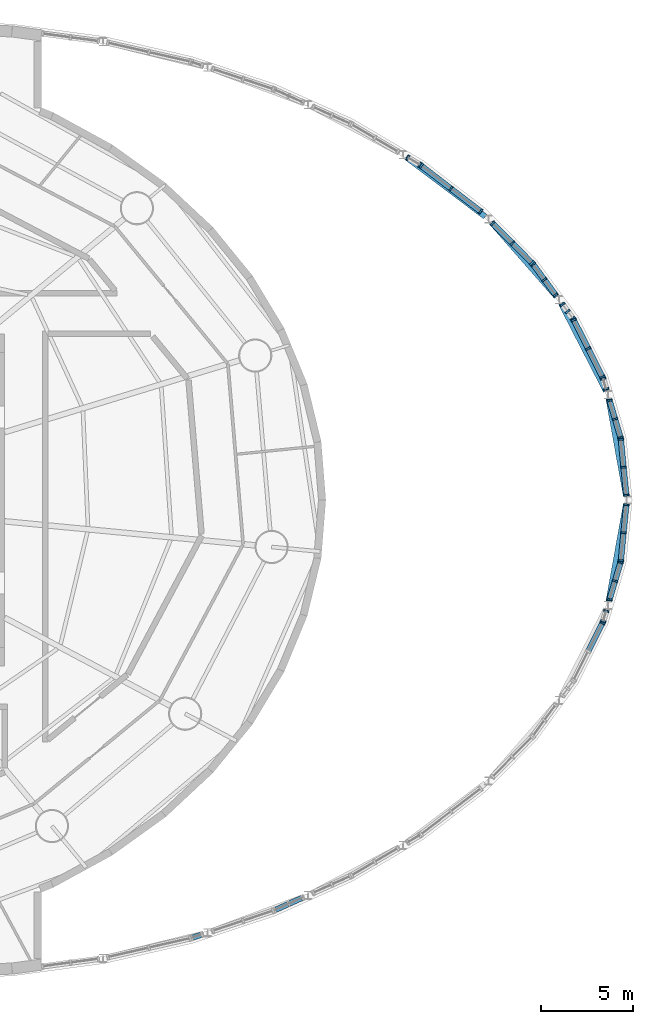
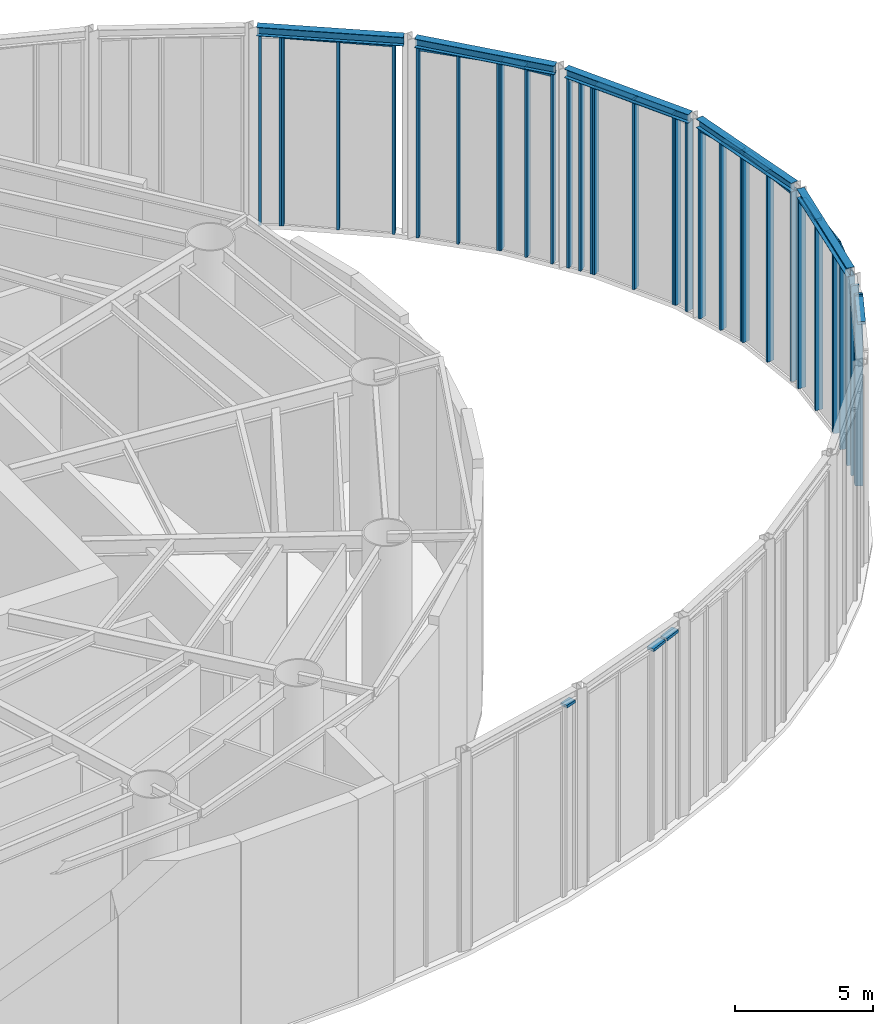
# One storey, part 8 of 19: 54 members, 5 beams, 15 elements without a shape of their own.
"""IFC4 building model written with IfcOpenShell, lengths in metres."""

from ifc_helpers import new_model, si_unit, direction, frame, origin, origin_2d, place, context, subcontext, project, spatial, rectangle, i_section, extrude, material, material_profile, profile_set, type_object, element, aggregate, save


model = new_model("IFC4")

# Units and contexts
model_context = context("Model", 3, precision=1e-05, world=origin(), true_north=direction((0.0, 1.0)))
body_context = subcontext(model_context, "Body", "Model", "MODEL_VIEW")
ifc_project = project(units=[si_unit("LENGTHUNIT", "METRE"), si_unit("AREAUNIT", "SQUARE_METRE"), si_unit("VOLUMEUNIT", "CUBIC_METRE"), si_unit("PLANEANGLEUNIT", "RADIAN"), si_unit("MASSUNIT", "GRAM", prefix="KILO")], contexts=[model_context])

# Site, building, storey
site_placement = place(None, origin())
site = spatial("IfcSite", under=ifc_project, at=site_placement, CompositionType="ELEMENT")
building_placement = place(site_placement, origin())
building = spatial("IfcBuilding", under=site, at=building_placement, Name="Vermilion Reach Broadcast Tower", CompositionType="ELEMENT")
storey_placement = place(building_placement, frame((0.0, 0.0, 17.0)))
storey = spatial("IfcBuildingStorey", under=building, at=storey_placement, Name="L02", CompositionType="ELEMENT", Elevation=17.0)

# Curtain wall, member
ifc_material_1 = material(Name="Low-e laminated clear glass in aluminium frame", Category="aluminium")
curtain_wall_type = type_object("IfcCurtainWallType", Name="Atrium outer wall curtain wall", PredefinedType="NOTDEFINED", material=ifc_material_1)
placement = place(storey_placement, origin())
curtain_wall_1 = element("IfcCurtainWall", 1, at=placement, inside=storey, type_object=curtain_wall_type, Name="Atrium wall L02 09", PredefinedType="NOTDEFINED")
ifc_material_2 = material(Name="Anodised aluminium", Category="aluminium")
ifc_material_profile_1 = material_profile(ifc_material_2, rectangle(XDim=0.300048828125, YDim=0.10009765625, at=origin_2d()), Name="Atrium outer wall mullion 100 x 300")
ifc_profile_set_1 = profile_set([ifc_material_profile_1], Name="Anodised aluminium")
member_type_1 = type_object("IfcMemberType", Name="Atrium outer wall mullion 100 x 300", PredefinedType="MULLION", material=ifc_profile_set_1)
member_1_placement = place(storey_placement, frame((38.384033203125, -6.6630859375, 0.0), z_axis=(0.0, 0.0, 1.0), x_axis=(-0.892992378986, 0.450071784356, 0.0)))
member_1 = element("IfcMember", 2, at=member_1_placement, type_object=member_type_1, Name="Atrium wall mullion L02 09.3", PredefinedType="MULLION", context=body_context, shape_type="SweptSolid", body=[
    extrude(rectangle(XDim=0.300048828125, YDim=0.10009765625, at=origin_2d()), origin(), (0.0, 0.0, 1.0), 8.409912109375),
])

# Curtain wall, members
curtain_wall_2 = element("IfcCurtainWall", 3, at=placement, inside=storey, type_object=curtain_wall_type, Name="Atrium wall L02 10-1", PredefinedType="NOTDEFINED")
member_2_placement = place(storey_placement, frame((38.420654296875, -6.570556640625, 0.0), z_axis=(0.0, 0.0, 1.0), x_axis=(-0.959047559317, 0.283245086397, 0.0)))
member_2 = element("IfcMember", 4, at=member_2_placement, type_object=member_type_1, Name="Atrium wall mullion L02 10-1.1", PredefinedType="MULLION", context=body_context, shape_type="SweptSolid", body=[
    extrude(rectangle(XDim=0.300048828125, YDim=0.10009765625, at=origin_2d()), origin(), (0.0, 0.0, 1.0), 8.409912109375),
])
member_3_placement = place(storey_placement, frame((38.58544921875, -6.01220703125, 0.0), z_axis=(0.0, 0.0, 1.0), x_axis=(-0.959047559317, 0.283245086397, 0.0)))
member_3 = element("IfcMember", 5, at=member_3_placement, type_object=member_type_1, Name="Atrium wall mullion L02 10-1.2", PredefinedType="MULLION", context=body_context, shape_type="SweptSolid", body=[
    extrude(rectangle(XDim=0.300048828125, YDim=0.10009765625, at=origin_2d()), origin(), (0.0, 0.0, 1.0), 8.409912109375),
])
aggregate(curtain_wall_2, [member_2, member_3])

curtain_wall_3 = element("IfcCurtainWall", 6, at=placement, inside=storey, type_object=curtain_wall_type, Name="Atrium wall L02 10-2", PredefinedType="NOTDEFINED")
member_4_placement = place(storey_placement, frame((38.76904296875, -5.390869140625, 0.0), z_axis=(0.0, 0.0, 1.0), x_axis=(-0.959047559317, 0.283245086397, 0.0)))
member_4 = element("IfcMember", 7, at=member_4_placement, type_object=member_type_1, Name="Atrium wall mullion L02 10-2.1", PredefinedType="MULLION", context=body_context, shape_type="SweptSolid", body=[
    extrude(rectangle(XDim=0.300048828125, YDim=0.10009765625, at=origin_2d()), origin(), (0.0, 0.0, 1.0), 8.409912109375),
])
member_5_placement = place(storey_placement, frame((39.0654296875, -4.387451171875, 0.0), z_axis=(0.0, 0.0, 1.0), x_axis=(-0.959047559317, 0.283245086397, 0.0)))
member_5 = element("IfcMember", 8, at=member_5_placement, type_object=member_type_1, Name="Atrium wall mullion L02 10-2.2", PredefinedType="MULLION", context=body_context, shape_type="SweptSolid", body=[
    extrude(rectangle(XDim=0.300048828125, YDim=0.10009765625, at=origin_2d()), origin(), (0.0, 0.0, 1.0), 8.409912109375),
])
member_6_placement = place(storey_placement, frame((39.361572265625, -3.384033203125, 0.0), z_axis=(0.0, 0.0, 1.0), x_axis=(-0.959047559317, 0.283245086397, 0.0)))
member_6 = element("IfcMember", 9, at=member_6_placement, type_object=member_type_1, Name="Atrium wall mullion L02 10-2.3", PredefinedType="MULLION", context=body_context, shape_type="SweptSolid", body=[
    extrude(rectangle(XDim=0.300048828125, YDim=0.10009765625, at=origin_2d()), origin(), (0.0, 0.0, 1.0), 8.409912109375),
])

curtain_wall_4 = element("IfcCurtainWall", 10, at=placement, inside=storey, type_object=curtain_wall_type, Name="Atrium wall L02 11", PredefinedType="NOTDEFINED")
member_7_placement = place(storey_placement, frame((39.380615234375, -3.286376953125, 0.0), z_axis=(0.0, 0.0, 1.0), x_axis=(-0.995297951094, 0.096860665643, 0.0)))
member_7 = element("IfcMember", 11, at=member_7_placement, type_object=member_type_1, Name="Atrium wall mullion L02 11.1", PredefinedType="MULLION", context=body_context, shape_type="SweptSolid", body=[
    extrude(rectangle(XDim=0.300048828125, YDim=0.10009765625, at=origin_2d()), origin(), (0.0, 0.0, 1.0), 8.409912109375),
])
member_8_placement = place(storey_placement, frame((39.52783203125, -1.774658203125, 0.0), z_axis=(0.0, 0.0, 1.0), x_axis=(-0.995297951094, 0.096860665643, 0.0)))
member_8 = element("IfcMember", 12, at=member_8_placement, type_object=member_type_1, Name="Atrium wall mullion L02 11.2", PredefinedType="MULLION", context=body_context, shape_type="SweptSolid", body=[
    extrude(rectangle(XDim=0.300048828125, YDim=0.10009765625, at=origin_2d()), origin(), (0.0, 0.0, 1.0), 8.409912109375),
])
member_9_placement = place(storey_placement, frame((39.6748046875, -0.2626953125, 0.0), z_axis=(0.0, 0.0, 1.0), x_axis=(-0.995297951094, 0.096860665643, 0.0)))
member_9 = element("IfcMember", 13, at=member_9_placement, type_object=member_type_1, Name="Atrium wall mullion L02 11.3", PredefinedType="MULLION", context=body_context, shape_type="SweptSolid", body=[
    extrude(rectangle(XDim=0.300048828125, YDim=0.10009765625, at=origin_2d()), origin(), (0.0, 0.0, 1.0), 8.409912109375),
])

curtain_wall_5 = element("IfcCurtainWall", 14, at=placement, inside=storey, type_object=curtain_wall_type, Name="Atrium wall L02 12", PredefinedType="NOTDEFINED")
member_10_placement = place(storey_placement, frame((39.6748046875, 0.2626953125, 0.0), z_axis=(0.0, 0.0, 1.0), x_axis=(-0.995297951094, -0.096860665643, 0.0)))
member_10 = element("IfcMember", 15, at=member_10_placement, type_object=member_type_1, Name="Atrium wall mullion L02 12.1", PredefinedType="MULLION", context=body_context, shape_type="SweptSolid", body=[
    extrude(rectangle(XDim=0.300048828125, YDim=0.10009765625, at=origin_2d()), origin(), (0.0, 0.0, 1.0), 8.409912109375),
])
member_11_placement = place(storey_placement, frame((39.52783203125, 1.774658203125, 0.0), z_axis=(0.0, 0.0, 1.0), x_axis=(-0.995297951094, -0.096860665643, 0.0)))
member_11 = element("IfcMember", 16, at=member_11_placement, type_object=member_type_1, Name="Atrium wall mullion L02 12.2", PredefinedType="MULLION", context=body_context, shape_type="SweptSolid", body=[
    extrude(rectangle(XDim=0.300048828125, YDim=0.10009765625, at=origin_2d()), origin(), (0.0, 0.0, 1.0), 8.409912109375),
])
member_12_placement = place(storey_placement, frame((39.380615234375, 3.286376953125, 0.0), z_axis=(0.0, 0.0, 1.0), x_axis=(-0.995297951094, -0.096860665643, 0.0)))
member_12 = element("IfcMember", 17, at=member_12_placement, type_object=member_type_1, Name="Atrium wall mullion L02 12.3", PredefinedType="MULLION", context=body_context, shape_type="SweptSolid", body=[
    extrude(rectangle(XDim=0.300048828125, YDim=0.10009765625, at=origin_2d()), origin(), (0.0, 0.0, 1.0), 8.409912109375),
])

curtain_wall_6 = element("IfcCurtainWall", 18, at=placement, inside=storey, type_object=curtain_wall_type, Name="Atrium wall L02 13-1", PredefinedType="NOTDEFINED")
member_13_placement = place(storey_placement, frame((39.361572265625, 3.384033203125, 0.0), z_axis=(0.0, 0.0, 1.0), x_axis=(-0.959047559317, -0.283245086397, 0.0)))
member_13 = element("IfcMember", 19, at=member_13_placement, type_object=member_type_1, Name="Atrium wall mullion L02 13-1.1", PredefinedType="MULLION", context=body_context, shape_type="SweptSolid", body=[
    extrude(rectangle(XDim=0.300048828125, YDim=0.10009765625, at=origin_2d()), origin(), (0.0, 0.0, 1.0), 8.409912109375),
])
member_14_placement = place(storey_placement, frame((39.0654296875, 4.387451171875, 0.0), z_axis=(0.0, 0.0, 1.0), x_axis=(-0.959047559317, -0.283245086397, 0.0)))
member_14 = element("IfcMember", 20, at=member_14_placement, type_object=member_type_1, Name="Atrium wall mullion L02 13-1.2", PredefinedType="MULLION", context=body_context, shape_type="SweptSolid", body=[
    extrude(rectangle(XDim=0.300048828125, YDim=0.10009765625, at=origin_2d()), origin(), (0.0, 0.0, 1.0), 8.409912109375),
])
member_15_placement = place(storey_placement, frame((38.76904296875, 5.390869140625, 0.0), z_axis=(0.0, 0.0, 1.0), x_axis=(-0.959047559317, -0.283245086397, 0.0)))
member_15 = element("IfcMember", 21, at=member_15_placement, type_object=member_type_1, Name="Atrium wall mullion L02 13-1.3", PredefinedType="MULLION", context=body_context, shape_type="SweptSolid", body=[
    extrude(rectangle(XDim=0.300048828125, YDim=0.10009765625, at=origin_2d()), origin(), (0.0, 0.0, 1.0), 8.409912109375),
])

curtain_wall_7 = element("IfcCurtainWall", 22, at=placement, inside=storey, type_object=curtain_wall_type, Name="Atrium wall L02 13-2", PredefinedType="NOTDEFINED")
member_16_placement = place(storey_placement, frame((38.58544921875, 6.01220703125, 0.0), z_axis=(0.0, 0.0, 1.0), x_axis=(-0.959047559317, -0.283245086397, 0.0)))
member_16 = element("IfcMember", 23, at=member_16_placement, type_object=member_type_1, Name="Atrium wall mullion L02 13-2.1", PredefinedType="MULLION", context=body_context, shape_type="SweptSolid", body=[
    extrude(rectangle(XDim=0.300048828125, YDim=0.10009765625, at=origin_2d()), origin(), (0.0, 0.0, 1.0), 8.409912109375),
])
member_17_placement = place(storey_placement, frame((38.420654296875, 6.570556640625, 0.0), z_axis=(0.0, 0.0, 1.0), x_axis=(-0.959047559317, -0.283245086397, 0.0)))
member_17 = element("IfcMember", 24, at=member_17_placement, type_object=member_type_1, Name="Atrium wall mullion L02 13-2.2", PredefinedType="MULLION", context=body_context, shape_type="SweptSolid", body=[
    extrude(rectangle(XDim=0.300048828125, YDim=0.10009765625, at=origin_2d()), origin(), (0.0, 0.0, 1.0), 8.409912109375),
])
aggregate(curtain_wall_7, [member_16, member_17])

curtain_wall_8 = element("IfcCurtainWall", 25, at=placement, inside=storey, type_object=curtain_wall_type, Name="Atrium wall L02 14", PredefinedType="NOTDEFINED")
member_18_placement = place(storey_placement, frame((38.384033203125, 6.6630859375, 0.0), z_axis=(0.0, 0.0, 1.0), x_axis=(-0.892992378986, -0.450071784356, 0.0)))
member_18 = element("IfcMember", 26, at=member_18_placement, type_object=member_type_1, Name="Atrium wall mullion L02 14.1", PredefinedType="MULLION", context=body_context, shape_type="SweptSolid", body=[
    extrude(rectangle(XDim=0.300048828125, YDim=0.10009765625, at=origin_2d()), origin(), (0.0, 0.0, 1.0), 8.409912109375),
])
member_19_placement = place(storey_placement, frame((37.6064453125, 8.20556640625, 0.0), z_axis=(0.0, 0.0, 1.0), x_axis=(-0.892992378986, -0.450071784356, 0.0)))
member_19 = element("IfcMember", 27, at=member_19_placement, type_object=member_type_1, Name="Atrium wall mullion L02 14.2", PredefinedType="MULLION", context=body_context, shape_type="SweptSolid", body=[
    extrude(rectangle(XDim=0.300048828125, YDim=0.10009765625, at=origin_2d()), origin(), (0.0, 0.0, 1.0), 8.409912109375),
])
member_20_placement = place(storey_placement, frame((36.8291015625, 9.748046875, 0.0), z_axis=(0.0, 0.0, 1.0), x_axis=(-0.892992378986, -0.450071784356, 0.0)))
member_20 = element("IfcMember", 28, at=member_20_placement, type_object=member_type_1, Name="Atrium wall mullion L02 14.3", PredefinedType="MULLION", context=body_context, shape_type="SweptSolid", body=[
    extrude(rectangle(XDim=0.300048828125, YDim=0.10009765625, at=origin_2d()), origin(), (0.0, 0.0, 1.0), 8.409912109375),
])

curtain_wall_9 = element("IfcCurtainWall", 29, at=placement, inside=storey, type_object=curtain_wall_type, Name="Atrium wall L02 15-1", PredefinedType="NOTDEFINED")
member_21_placement = place(storey_placement, frame((36.777099609375, 9.8330078125, 0.0), z_axis=(0.0, 0.0, 1.0), x_axis=(-0.806847463604, -0.590759824697, 0.0)))
member_21 = element("IfcMember", 30, at=member_21_placement, type_object=member_type_1, Name="Atrium wall mullion L02 15-1.1", PredefinedType="MULLION", context=body_context, shape_type="SweptSolid", body=[
    extrude(rectangle(XDim=0.300048828125, YDim=0.10009765625, at=origin_2d()), origin(), (0.0, 0.0, 1.0), 8.409912109375),
])
member_22_placement = place(storey_placement, frame((36.501220703125, 10.209716796875, 0.0), z_axis=(0.0, 0.0, 1.0), x_axis=(-0.806847463604, -0.590759824697, 0.0)))
member_22 = element("IfcMember", 31, at=member_22_placement, type_object=member_type_1, Name="Atrium wall mullion L02 15-1.2", PredefinedType="MULLION", context=body_context, shape_type="SweptSolid", body=[
    extrude(rectangle(XDim=0.300048828125, YDim=0.10009765625, at=origin_2d()), origin(), (0.0, 0.0, 1.0), 8.409912109375),
])
member_23_placement = place(storey_placement, frame((36.2255859375, 10.586181640625, 0.0), z_axis=(0.0, 0.0, 1.0), x_axis=(-0.806847463604, -0.590759824697, 0.0)))
member_23 = element("IfcMember", 32, at=member_23_placement, type_object=member_type_1, Name="Atrium wall mullion L02 15-1.3", PredefinedType="MULLION", context=body_context, shape_type="SweptSolid", body=[
    extrude(rectangle(XDim=0.300048828125, YDim=0.10009765625, at=origin_2d()), origin(), (0.0, 0.0, 1.0), 8.409912109375),
])
aggregate(curtain_wall_9, [member_21, member_22, member_23])

curtain_wall_10 = element("IfcCurtainWall", 33, at=placement, inside=storey, type_object=curtain_wall_type, Name="Atrium wall L02 15-2", PredefinedType="NOTDEFINED")
member_24_placement = place(storey_placement, frame((35.8427734375, 11.109130859375, 0.0), z_axis=(0.0, 0.0, 1.0), x_axis=(-0.806847463604, -0.590759824697, 0.0)))
member_24 = element("IfcMember", 34, at=member_24_placement, type_object=member_type_1, Name="Atrium wall mullion L02 15-2.1", PredefinedType="MULLION", context=body_context, shape_type="SweptSolid", body=[
    extrude(rectangle(XDim=0.300048828125, YDim=0.10009765625, at=origin_2d()), origin(), (0.0, 0.0, 1.0), 8.409912109375),
])
member_25_placement = place(storey_placement, frame((35.236572265625, 11.936767578125, 0.0), z_axis=(0.0, 0.0, 1.0), x_axis=(-0.806847463604, -0.590759824697, 0.0)))
member_25 = element("IfcMember", 35, at=member_25_placement, type_object=member_type_1, Name="Atrium wall mullion L02 15-2.2", PredefinedType="MULLION", context=body_context, shape_type="SweptSolid", body=[
    extrude(rectangle(XDim=0.300048828125, YDim=0.10009765625, at=origin_2d()), origin(), (0.0, 0.0, 1.0), 8.409912109375),
])
member_26_placement = place(storey_placement, frame((34.630615234375, 12.764404296875, 0.0), z_axis=(0.0, 0.0, 1.0), x_axis=(-0.806847463604, -0.590759824697, 0.0)))
member_26 = element("IfcMember", 36, at=member_26_placement, type_object=member_type_1, Name="Atrium wall mullion L02 15-2.3", PredefinedType="MULLION", context=body_context, shape_type="SweptSolid", body=[
    extrude(rectangle(XDim=0.300048828125, YDim=0.10009765625, at=origin_2d()), origin(), (0.0, 0.0, 1.0), 8.409912109375),
])

curtain_wall_11 = element("IfcCurtainWall", 37, at=placement, inside=storey, type_object=curtain_wall_type, Name="Atrium wall L02 16", PredefinedType="NOTDEFINED")
member_27_placement = place(storey_placement, frame((34.56591796875, 12.84033203125, 0.0), z_axis=(0.0, 0.0, 1.0), x_axis=(-0.709925939614, -0.704276337997, 0.0)))
member_27 = element("IfcMember", 38, at=member_27_placement, type_object=member_type_1, Name="Atrium wall mullion L02 16.1", PredefinedType="MULLION", context=body_context, shape_type="SweptSolid", body=[
    extrude(rectangle(XDim=0.300048828125, YDim=0.10009765625, at=origin_2d()), origin(), (0.0, 0.0, 1.0), 8.409912109375),
])
member_28_placement = place(storey_placement, frame((33.5029296875, 13.911865234375, 0.0), z_axis=(0.0, 0.0, 1.0), x_axis=(-0.709925939614, -0.704276337997, 0.0)))
member_28 = element("IfcMember", 39, at=member_28_placement, type_object=member_type_1, Name="Atrium wall mullion L02 16.2", PredefinedType="MULLION", context=body_context, shape_type="SweptSolid", body=[
    extrude(rectangle(XDim=0.300048828125, YDim=0.10009765625, at=origin_2d()), origin(), (0.0, 0.0, 1.0), 8.409912109375),
])
member_29_placement = place(storey_placement, frame((32.43994140625, 14.983154296875, 0.0), z_axis=(0.0, 0.0, 1.0), x_axis=(-0.709925939614, -0.704276337997, 0.0)))
member_29 = element("IfcMember", 40, at=member_29_placement, type_object=member_type_1, Name="Atrium wall mullion L02 16.3", PredefinedType="MULLION", context=body_context, shape_type="SweptSolid", body=[
    extrude(rectangle(XDim=0.300048828125, YDim=0.10009765625, at=origin_2d()), origin(), (0.0, 0.0, 1.0), 8.409912109375),
])

curtain_wall_12 = element("IfcCurtainWall", 41, at=placement, inside=storey, type_object=curtain_wall_type, Name="Atrium wall L02 17", PredefinedType="NOTDEFINED")
member_30_placement = place(storey_placement, frame((31.7861328125, 15.6328125, 0.0), z_axis=(0.0, 0.0, 1.0), x_axis=(-0.609113924113, -0.793082736826, 0.0)))
member_30 = element("IfcMember", 42, at=member_30_placement, type_object=member_type_1, Name="Atrium wall mullion L02 17.1", PredefinedType="MULLION", context=body_context, shape_type="SweptSolid", body=[
    extrude(rectangle(XDim=0.300048828125, YDim=0.10009765625, at=origin_2d()), origin(), (0.0, 0.0, 1.0), 8.409912109375),
])
member_31_placement = place(storey_placement, frame((30.17626953125, 16.869140625, 0.0), z_axis=(0.0, 0.0, 1.0), x_axis=(-0.609113924113, -0.793082736826, 0.0)))
member_31 = element("IfcMember", 43, at=member_31_placement, type_object=member_type_1, Name="Atrium wall mullion L02 17.2", PredefinedType="MULLION", context=body_context, shape_type="SweptSolid", body=[
    extrude(rectangle(XDim=0.300048828125, YDim=0.10009765625, at=origin_2d()), origin(), (0.0, 0.0, 1.0), 8.409912109375),
])
member_32_placement = place(storey_placement, frame((28.566650390625, 18.10546875, 0.0), z_axis=(0.0, 0.0, 1.0), x_axis=(-0.609113924113, -0.793082736826, 0.0)))
member_32 = element("IfcMember", 44, at=member_32_placement, type_object=member_type_1, Name="Atrium wall mullion L02 17.3", PredefinedType="MULLION", context=body_context, shape_type="SweptSolid", body=[
    extrude(rectangle(XDim=0.300048828125, YDim=0.10009765625, at=origin_2d()), origin(), (0.0, 0.0, 1.0), 8.409912109375),
])

curtain_wall_13 = element("IfcCurtainWall", 45, at=placement, inside=storey, type_object=curtain_wall_type, Name="Atrium wall L02 18-1", PredefinedType="NOTDEFINED")
member_33_placement = place(storey_placement, frame((28.48388671875, 18.161376953125, 0.0), z_axis=(0.0, 0.0, 1.0), x_axis=(-0.508589622127, -0.861009057017, 0.0)))
member_33 = element("IfcMember", 46, at=member_33_placement, type_object=member_type_1, Name="Atrium wall mullion L02 18-1.1", PredefinedType="MULLION", context=body_context, shape_type="SweptSolid", body=[
    extrude(rectangle(XDim=0.300048828125, YDim=0.10009765625, at=origin_2d()), origin(), (0.0, 0.0, 1.0), 8.409912109375),
])
member_34_placement = place(storey_placement, frame((27.849609375, 18.5361328125, 0.0), z_axis=(0.0, 0.0, 1.0), x_axis=(-0.508589622127, -0.861009057017, 0.0)))
member_34 = element("IfcMember", 47, at=member_34_placement, type_object=member_type_1, Name="Atrium wall mullion L02 18-1.2", PredefinedType="MULLION", context=body_context, shape_type="SweptSolid", body=[
    extrude(rectangle(XDim=0.300048828125, YDim=0.10009765625, at=origin_2d()), origin(), (0.0, 0.0, 1.0), 8.409912109375),
])
aggregate(curtain_wall_13, [member_33, member_34])

# Curtain wall, member
curtain_wall_14 = element("IfcCurtainWall", 48, at=placement, inside=storey, type_object=curtain_wall_type, Name="Atrium wall L02 03-1", PredefinedType="NOTDEFINED")
ifc_material_3 = material(Name="Anodised aluminium", Category="aluminium")
ifc_material_profile_2 = material_profile(ifc_material_3, rectangle(XDim=0.300048828125, YDim=0.1201171875, at=origin_2d()), Name="Atrium outer wall transom 300 x 120")
ifc_profile_set_2 = profile_set([ifc_material_profile_2], Name="Anodised aluminium")
member_type_2 = type_object("IfcMemberType", Name="Atrium outer wall transom 300 x 120", PredefinedType="USERDEFINED", material=ifc_profile_set_2)
member_35_placement = place(storey_placement, frame((16.18603515625, -23.700439453125, 8.35009765625), z_axis=(0.948944103966, 0.315444270113, 0.0), x_axis=(-0.315444270113, 0.948944103966, 0.0)))
member_35 = element("IfcMember", 49, at=member_35_placement, type_object=member_type_2, Name="Atrium wall transom L02 03-1.1.2", ObjectType="TRANSOM", PredefinedType="USERDEFINED", context=body_context, shape_type="SweptSolid", body=[
    extrude(rectangle(XDim=0.300048828125, YDim=0.1201171875, at=origin_2d()), origin(), (0.0, 0.0, 1.0), 0.467529296875),
])
aggregate(curtain_wall_14, [member_35])

# Curtain wall, members
curtain_wall_15 = element("IfcCurtainWall", 50, at=placement, inside=storey, type_object=curtain_wall_type, Name="Atrium wall L02 04-1", PredefinedType="NOTDEFINED")
member_36_placement = place(storey_placement, frame((20.6826171875, -22.196044921875, 8.35009765625), z_axis=(0.911946820137, 0.41030841722, 0.0), x_axis=(-0.41030841722, 0.911946820137, 0.0)))
member_36 = element("IfcMember", 51, at=member_36_placement, type_object=member_type_2, Name="Atrium wall transom L02 04-1.1.2", ObjectType="TRANSOM", PredefinedType="USERDEFINED", context=body_context, shape_type="SweptSolid", body=[
    extrude(rectangle(XDim=0.300048828125, YDim=0.1201171875, at=origin_2d()), origin(), (0.0, 0.0, 1.0), 0.7216796875),
])
member_37_placement = place(storey_placement, frame((21.431884765625, -21.85888671875, 8.35009765625), z_axis=(0.911877215452, 0.410463084746, 0.0), x_axis=(-0.410463084746, 0.911877215452, 0.0)))
member_37 = element("IfcMember", 52, at=member_37_placement, type_object=member_type_2, Name="Atrium wall transom L02 04-1.2.2", ObjectType="TRANSOM", PredefinedType="USERDEFINED", context=body_context, shape_type="SweptSolid", body=[
    extrude(rectangle(XDim=0.300048828125, YDim=0.1201171875, at=origin_2d()), origin(), (0.0, 0.0, 1.0), 0.72216796875),
])
aggregate(curtain_wall_15, [member_36, member_37])

# Member
member_38_placement = place(storey_placement, frame((37.62890625, -8.160888671875, 8.35009765625), z_axis=(0.450091864122, 0.892982258419, 0.0), x_axis=(-0.892982258419, 0.450091864122, 0.0)))
member_38 = element("IfcMember", 53, at=member_38_placement, type_object=member_type_2, Name="Atrium wall transom L02 09.2.2", ObjectType="TRANSOM", PredefinedType="USERDEFINED", context=body_context, shape_type="SweptSolid", body=[
    extrude(rectangle(XDim=0.300048828125, YDim=0.1201171875, at=origin_2d()), origin(), (0.0, 0.0, 1.0), 1.627197265625),
])

aggregate(curtain_wall_1, [member_1, member_38])

member_39_placement = place(storey_placement, frame((38.783203125, -5.3427734375, 8.35009765625), z_axis=(0.283297602457, 0.959032047662, 0.0), x_axis=(-0.959032047662, 0.283297602457, 0.0)))
member_39 = element("IfcMember", 54, at=member_39_placement, type_object=member_type_2, Name="Atrium wall transom L02 10-2.1.2", ObjectType="TRANSOM", PredefinedType="USERDEFINED", context=body_context, shape_type="SweptSolid", body=[
    extrude(rectangle(XDim=0.300048828125, YDim=0.1201171875, at=origin_2d()), origin(), (0.0, 0.0, 1.0), 0.9462890625),
])

member_40_placement = place(storey_placement, frame((39.07958984375, -4.339599609375, 8.35009765625), z_axis=(0.283060271492, 0.959102123187, 0.0), x_axis=(-0.959102123187, 0.283060271492, 0.0)))
member_40 = element("IfcMember", 55, at=member_40_placement, type_object=member_type_2, Name="Atrium wall transom L02 10-2.2.2", ObjectType="TRANSOM", PredefinedType="USERDEFINED", context=body_context, shape_type="SweptSolid", body=[
    extrude(rectangle(XDim=0.300048828125, YDim=0.1201171875, at=origin_2d()), origin(), (0.0, 0.0, 1.0), 0.946044921875),
])

aggregate(curtain_wall_3, [member_4, member_5, member_6, member_39, member_40])

member_41_placement = place(storey_placement, frame((39.385498046875, -3.236572265625, 8.35009765625), z_axis=(0.096863028009, 0.995297721189, 0.0), x_axis=(-0.995297721189, 0.096863028009, 0.0)))
member_41 = element("IfcMember", 56, at=member_41_placement, type_object=member_type_2, Name="Atrium wall transom L02 11.1.2", ObjectType="TRANSOM", PredefinedType="USERDEFINED", context=body_context, shape_type="SweptSolid", body=[
    extrude(rectangle(XDim=0.300048828125, YDim=0.1201171875, at=origin_2d()), origin(), (0.0, 0.0, 1.0), 1.4189453125),
])

member_42_placement = place(storey_placement, frame((39.53271484375, -1.724853515625, 8.35009765625), z_axis=(0.096863028009, 0.995297721189, 0.0), x_axis=(-0.995297721189, 0.096863028009, 0.0)))
member_42 = element("IfcMember", 57, at=member_42_placement, type_object=member_type_2, Name="Atrium wall transom L02 11.2.2", ObjectType="TRANSOM", PredefinedType="USERDEFINED", context=body_context, shape_type="SweptSolid", body=[
    extrude(rectangle(XDim=0.300048828125, YDim=0.1201171875, at=origin_2d()), origin(), (0.0, 0.0, 1.0), 1.4189453125),
])

aggregate(curtain_wall_4, [member_7, member_8, member_9, member_41, member_42])

member_43_placement = place(storey_placement, frame((39.670166015625, 0.3125, 8.35009765625), z_axis=(-0.096863028009, 0.995297721189, 0.0), x_axis=(-0.995297721189, -0.096863028009, 0.0)))
member_43 = element("IfcMember", 58, at=member_43_placement, type_object=member_type_2, Name="Atrium wall transom L02 12.1.2", ObjectType="TRANSOM", PredefinedType="USERDEFINED", context=body_context, shape_type="SweptSolid", body=[
    extrude(rectangle(XDim=0.300048828125, YDim=0.1201171875, at=origin_2d()), origin(), (0.0, 0.0, 1.0), 1.4189453125),
])

member_44_placement = place(storey_placement, frame((39.52294921875, 1.82421875, 8.35009765625), z_axis=(-0.096863028009, 0.995297721189, 0.0), x_axis=(-0.995297721189, -0.096863028009, 0.0)))
member_44 = element("IfcMember", 59, at=member_44_placement, type_object=member_type_2, Name="Atrium wall transom L02 12.2.2", ObjectType="TRANSOM", PredefinedType="USERDEFINED", context=body_context, shape_type="SweptSolid", body=[
    extrude(rectangle(XDim=0.300048828125, YDim=0.1201171875, at=origin_2d()), origin(), (0.0, 0.0, 1.0), 1.4189453125),
])

aggregate(curtain_wall_5, [member_10, member_11, member_12, member_43, member_44])

member_45_placement = place(storey_placement, frame((39.347412109375, 3.43212890625, 8.35009765625), z_axis=(-0.283060271492, 0.959102123187, 0.0), x_axis=(-0.959102123187, -0.283060271492, 0.0)))
member_45 = element("IfcMember", 60, at=member_45_placement, type_object=member_type_2, Name="Atrium wall transom L02 13-1.1.2", ObjectType="TRANSOM", PredefinedType="USERDEFINED", context=body_context, shape_type="SweptSolid", body=[
    extrude(rectangle(XDim=0.300048828125, YDim=0.1201171875, at=origin_2d()), origin(), (0.0, 0.0, 1.0), 0.946044921875),
])

member_46_placement = place(storey_placement, frame((39.05126953125, 4.435302734375, 8.35009765625), z_axis=(-0.283297602457, 0.959032047662, 0.0), x_axis=(-0.959032047662, -0.283297602457, 0.0)))
member_46 = element("IfcMember", 61, at=member_46_placement, type_object=member_type_2, Name="Atrium wall transom L02 13-1.2.2", ObjectType="TRANSOM", PredefinedType="USERDEFINED", context=body_context, shape_type="SweptSolid", body=[
    extrude(rectangle(XDim=0.300048828125, YDim=0.1201171875, at=origin_2d()), origin(), (0.0, 0.0, 1.0), 0.9462890625),
])

aggregate(curtain_wall_6, [member_13, member_14, member_15, member_45, member_46])

member_47_placement = place(storey_placement, frame((38.361328125, 6.707763671875, 8.35009765625), z_axis=(-0.450091864122, 0.892982258419, 0.0), x_axis=(-0.892982258419, -0.450091864122, 0.0)))
member_47 = element("IfcMember", 62, at=member_47_placement, type_object=member_type_2, Name="Atrium wall transom L02 14.1.2", ObjectType="TRANSOM", PredefinedType="USERDEFINED", context=body_context, shape_type="SweptSolid", body=[
    extrude(rectangle(XDim=0.300048828125, YDim=0.1201171875, at=origin_2d()), origin(), (0.0, 0.0, 1.0), 1.627197265625),
])

member_48_placement = place(storey_placement, frame((37.583984375, 8.250244140625, 8.35009765625), z_axis=(-0.450091864122, 0.892982258419, 0.0), x_axis=(-0.892982258419, -0.450091864122, 0.0)))
member_48 = element("IfcMember", 63, at=member_48_placement, type_object=member_type_2, Name="Atrium wall transom L02 14.2.2", ObjectType="TRANSOM", PredefinedType="USERDEFINED", context=body_context, shape_type="SweptSolid", body=[
    extrude(rectangle(XDim=0.300048828125, YDim=0.1201171875, at=origin_2d()), origin(), (0.0, 0.0, 1.0), 1.627197265625),
])

aggregate(curtain_wall_8, [member_18, member_19, member_20, member_47, member_48])

member_49_placement = place(storey_placement, frame((35.813232421875, 11.1494140625, 8.35009765625), z_axis=(-0.590849188932, 0.806782025047, 0.0), x_axis=(-0.806782025047, -0.590849188932, 0.0)))
member_49 = element("IfcMember", 64, at=member_49_placement, type_object=member_type_2, Name="Atrium wall transom L02 15-2.1.2", ObjectType="TRANSOM", PredefinedType="USERDEFINED", context=body_context, shape_type="SweptSolid", body=[
    extrude(rectangle(XDim=0.300048828125, YDim=0.1201171875, at=origin_2d()), origin(), (0.0, 0.0, 1.0), 0.926025390625),
])

member_50_placement = place(storey_placement, frame((35.20703125, 11.97705078125, 8.35009765625), z_axis=(-0.590677537, 0.806907706794, 0.0), x_axis=(-0.806907706794, -0.590677537, 0.0)))
member_50 = element("IfcMember", 65, at=member_50_placement, type_object=member_type_2, Name="Atrium wall transom L02 15-2.2.2", ObjectType="TRANSOM", PredefinedType="USERDEFINED", context=body_context, shape_type="SweptSolid", body=[
    extrude(rectangle(XDim=0.300048828125, YDim=0.1201171875, at=origin_2d()), origin(), (0.0, 0.0, 1.0), 0.92578125),
])

aggregate(curtain_wall_10, [member_24, member_25, member_26, member_49, member_50])

member_51_placement = place(storey_placement, frame((34.53076171875, 12.875732421875, 8.35009765625), z_axis=(-0.704329761537, 0.709872937231, 0.0), x_axis=(-0.709872937231, -0.704329761537, 0.0)))
member_51 = element("IfcMember", 66, at=member_51_placement, type_object=member_type_2, Name="Atrium wall transom L02 16.1.2", ObjectType="TRANSOM", PredefinedType="USERDEFINED", context=body_context, shape_type="SweptSolid", body=[
    extrude(rectangle(XDim=0.300048828125, YDim=0.1201171875, at=origin_2d()), origin(), (0.0, 0.0, 1.0), 1.409423828125),
])

member_52_placement = place(storey_placement, frame((33.4677734375, 13.947265625, 8.35009765625), z_axis=(-0.704242454473, 0.709959551889, 0.0), x_axis=(-0.709959551889, -0.704242454473, 0.0)))
member_52 = element("IfcMember", 67, at=member_52_placement, type_object=member_type_2, Name="Atrium wall transom L02 16.2.2", ObjectType="TRANSOM", PredefinedType="USERDEFINED", context=body_context, shape_type="SweptSolid", body=[
    extrude(rectangle(XDim=0.300048828125, YDim=0.1201171875, at=origin_2d()), origin(), (0.0, 0.0, 1.0), 1.4091796875),
])

aggregate(curtain_wall_11, [member_27, member_28, member_29, member_51, member_52])

member_53_placement = place(storey_placement, frame((31.74658203125, 15.663330078125, 8.35009765625), z_axis=(-0.79307054721, 0.609129794993, 0.0), x_axis=(-0.609129794993, -0.79307054721, 0.0)))
member_53 = element("IfcMember", 68, at=member_53_placement, type_object=member_type_2, Name="Atrium wall transom L02 17.1.2", ObjectType="TRANSOM", PredefinedType="USERDEFINED", context=body_context, shape_type="SweptSolid", body=[
    extrude(rectangle(XDim=0.300048828125, YDim=0.1201171875, at=origin_2d()), origin(), (0.0, 0.0, 1.0), 1.929931640625),
])

member_54_placement = place(storey_placement, frame((30.13671875, 16.899658203125, 8.35009765625), z_axis=(-0.79307054721, 0.609129794993, 0.0), x_axis=(-0.609129794993, -0.79307054721, 0.0)))
member_54 = element("IfcMember", 69, at=member_54_placement, type_object=member_type_2, Name="Atrium wall transom L02 17.2.2", ObjectType="TRANSOM", PredefinedType="USERDEFINED", context=body_context, shape_type="SweptSolid", body=[
    extrude(rectangle(XDim=0.300048828125, YDim=0.1201171875, at=origin_2d()), origin(), (0.0, 0.0, 1.0), 1.929931640625),
])

aggregate(curtain_wall_12, [member_30, member_31, member_32, member_53, member_54])

# Beams
ifc_material_4 = material(Name="Steel S355J2", Category="steel")
ifc_material_profile_3 = material_profile(ifc_material_4, i_section(OverallWidth=0.300048828125, OverallDepth=0.389892578125, WebThickness=0.010009765625, FlangeThickness=0.01611328125, at=origin_2d()), Name="S355J2 HM 390x300x10x16")
ifc_profile_set_3 = profile_set([ifc_material_profile_3], Name="Steel S355J2")
beam_type = type_object("IfcBeamType", Name="RM1 HM 390x300x10x16", PredefinedType="BEAM", material=ifc_profile_set_3)
for number, where, z_axis, x_axis, name in (
    (70, (38.715576171875, -5.48486328125, 8.60498046875), (0.176657264491, 0.984272427178, 0.0), (-0.984272427178, 0.176657264491, 0.0), "Rim beam AP07-AP08"),
    (71, (39.6611328125, 0.216552734375, 8.60498046875), (-0.176657264491, 0.984272427178, 0.0), (-0.984272427178, -0.176657264491, 0.0), "Rim beam AP08-AP09"),
):
    element("IfcBeam", number, at=place(storey_placement, frame(where, z_axis=z_axis, x_axis=x_axis)), inside=storey, type_object=beam_type, Name=name, PredefinedType="BEAM", context=body_context, shape_type="SweptSolid", body=[
        extrude(i_section(OverallWidth=0.300048828125, OverallDepth=0.389892578125, WebThickness=0.010009765625, FlangeThickness=0.01611328125, at=origin_2d()), origin(), (0.0, 0.0, 1.0), 5.3525390625),
    ])
beam_1_placement = place(storey_placement, frame((38.576416015625, 5.89697265625, 8.60498046875), z_axis=(-0.456870131235, 0.889533407571, 0.0), x_axis=(-0.889533407571, -0.456870131235, 0.0)))
element("IfcBeam", 72, at=beam_1_placement, inside=storey, type_object=beam_type, Name="Rim beam AP09-AP10", PredefinedType="BEAM", context=body_context, shape_type="SweptSolid", body=[
    extrude(i_section(OverallWidth=0.300048828125, OverallDepth=0.389892578125, WebThickness=0.010009765625, FlangeThickness=0.01611328125, at=origin_2d()), origin(), (0.0, 0.0, 1.0), 5.345458984375),
])
beam_2_placement = place(storey_placement, frame((35.888916015625, 11.012939453125, 8.60498046875), z_axis=(-0.658704425983, 0.752401807009, 0.0), x_axis=(-0.752401807009, -0.658704425983, 0.0)))
element("IfcBeam", 73, at=beam_2_placement, inside=storey, type_object=beam_type, Name="Rim beam AP10-AP11", PredefinedType="BEAM", context=body_context, shape_type="SweptSolid", body=[
    extrude(i_section(OverallWidth=0.300048828125, OverallDepth=0.389892578125, WebThickness=0.010009765625, FlangeThickness=0.01611328125, at=origin_2d()), origin(), (0.0, 0.0, 1.0), 5.3623046875),
])
beam_3_placement = place(storey_placement, frame((32.035888671875, 15.34521484375, 8.60498046875), z_axis=(-0.799426308376, 0.600764161278, 0.0), x_axis=(-0.600764161278, -0.799426308376, 0.0)))
element("IfcBeam", 74, at=beam_3_placement, inside=storey, type_object=beam_type, Name="Rim beam AP11-AP12", PredefinedType="BEAM", context=body_context, shape_type="SweptSolid", body=[
    extrude(i_section(OverallWidth=0.300048828125, OverallDepth=0.389892578125, WebThickness=0.010009765625, FlangeThickness=0.01611328125, at=origin_2d()), origin(), (0.0, 0.0, 1.0), 5.365478515625),
])

save(model, "model.ifc")
